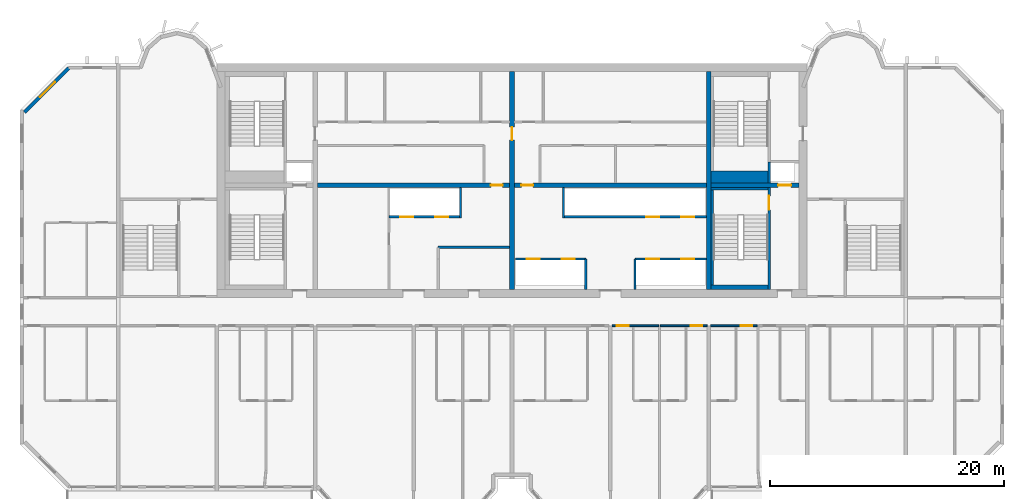
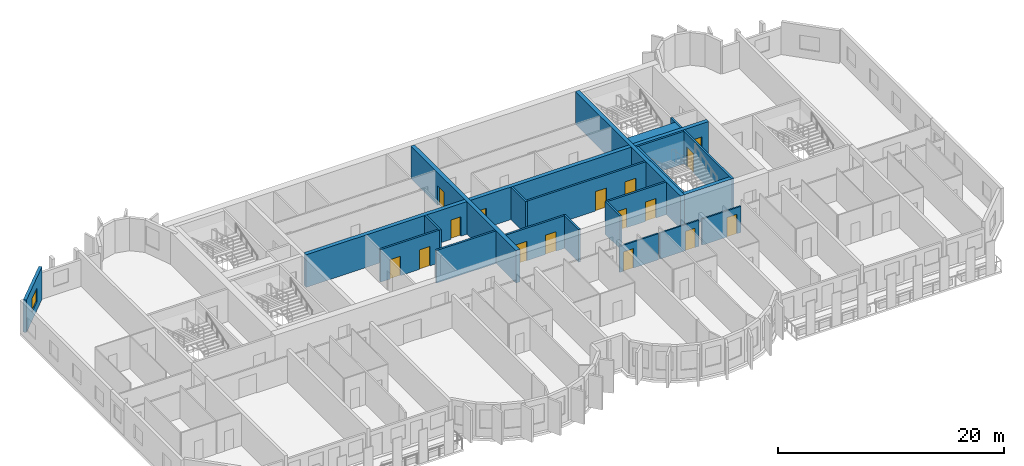
# One storey, part 6 of 13: 24 walls, 16 doors, 1 window, 17 openings.
"""IFC4 building model written with IfcOpenShell, lengths in metres."""

from ifc_helpers import new_model, si_unit, direction, frame, frame_2d, origin, place, context, subcontext, project, spatial, rectangle, extrude, source, transform, mapped, material, layer, layer_set, type_object, element, fill, save


model = new_model("IFC4")

# Units and contexts
model_context = context("Model", 3, precision=1e-05, world=origin(), true_north=direction((0.0, 1.0)))
body_context = subcontext(model_context, "Body", "Model", "MODEL_VIEW")
ifc_project = project(units=[si_unit("LENGTHUNIT", "METRE"), si_unit("AREAUNIT", "SQUARE_METRE"), si_unit("VOLUMEUNIT", "CUBIC_METRE"), si_unit("PLANEANGLEUNIT", "RADIAN"), si_unit("MASSUNIT", "GRAM", prefix="KILO")], contexts=[model_context])

# Site, building, storey
site_placement = place(None, origin())
site = spatial("IfcSite", under=ifc_project, at=site_placement, CompositionType="ELEMENT")
building_placement = place(site_placement, origin())
building = spatial("IfcBuilding", under=site, at=building_placement, Name="Vanashikhar Sky Hotel", CompositionType="ELEMENT")
storey_placement = place(building_placement, frame((0.0, 0.0, 151.60009765625)))
storey = spatial("IfcBuildingStorey", under=building, at=storey_placement, Name="L36", CompositionType="ELEMENT", Elevation=151.60009765625)

# Wall, opening, door
ifc_material_1 = material(Name="Concrete M60", Category="concrete")
ifc_layer_1 = layer(ifc_material_1, 0.39990234375)
ifc_layer_set_1 = layer_set([ifc_layer_1], Name="RC core inner wall 400 Concrete M60")
wall_type_1 = type_object("IfcWallType", Name="RC core inner wall 400 Concrete M60", PredefinedType="SHEAR", material=ifc_layer_set_1)
shared_shape_1 = source(origin(), body_context, "Body", "SweptSolid", [
    extrude(rectangle(XDim=18.60009765625, YDim=0.39990234375, at=frame_2d((9.300048828125, 0.0))), origin(), (0.0, 0.0, 1.0), 3.52001953125),
])
wall_1_placement = place(storey_placement, frame((50.39990234375, 22.699951171875, 0.0), z_axis=(0.0, 0.0, 1.0), x_axis=(0.0, 1.0, 0.0)))
wall_1 = element("IfcWall", 1, at=wall_1_placement, inside=storey, type_object=wall_type_1, Name="KW-L36-KX2", PredefinedType="SHEAR", context=body_context, shape_type="MappedRepresentation", body=[
    mapped(shared_shape_1, transform((0.0, 0.0, 0.0), scale=1.0)),
])
shared_shape_2 = source(origin(), body_context, "Body", "SweptSolid", [
    extrude(rectangle(XDim=1.10009765625, YDim=2.10009765625, at=frame_2d((0.550048828125, 1.050048828125))), frame((0.0, 0.2099609375, 0.0), z_axis=(0.0, -1.0, 0.0), x_axis=(1.0, 0.0, 0.0)), (0.0, 0.0, 1.0), 0.419921875),
])
opening_1_placement = place(wall_1_placement, frame((12.75, 0.0, 0.0)))
opening_1 = element("IfcOpeningElement", 2, at=opening_1_placement, cuts=wall_1, Name="Opening DC-4-C", PredefinedType="OPENING", context=body_context, shape_type="MappedRepresentation", body=[
    mapped(shared_shape_2, transform((0.0, 0.0, 0.0), scale=1.0)),
])
ifc_material_2 = material(Name="Steel", Category="steel")
door_type_1 = type_object("IfcDoorType", Name="Service door 1100 FD60", OperationType="NOTDEFINED", PredefinedType="DOOR", material=ifc_material_2)
shared_shape_3 = source(origin(), body_context, "Body", "SweptSolid", [
    extrude(rectangle(XDim=1.10009765625, YDim=2.10009765625, at=frame_2d((0.550048828125, 1.050048828125))), frame((0.0, 0.02490234375, 0.0), z_axis=(0.0, -1.0, 0.0), x_axis=(1.0, 0.0, 0.0)), (0.0, 0.0, 1.0), 0.050048828125),
])
door_1_placement = place(opening_1_placement, origin())
door_1 = element("IfcDoor", 3, at=door_1_placement, inside=storey, type_object=door_type_1, Name="Service door 1100 FD60", OperationType="SINGLE_SWING_RIGHT", OverallHeight=2.10009765625, OverallWidth=1.10009765625, PredefinedType="DOOR", context=body_context, shape_type="MappedRepresentation", body=[
    mapped(shared_shape_3, transform((0.0, 0.0, 0.0), scale=1.0)),
])
fill(opening_1, door_1)

# Wall
wall_2_placement = place(storey_placement, frame((67.199951171875, 22.699951171875, 0.0), z_axis=(0.0, 0.0, 1.0), x_axis=(0.0, 1.0, 0.0)))
element("IfcWall", 4, at=wall_2_placement, inside=storey, type_object=wall_type_1, Name="KW-L36-KX3", PredefinedType="SHEAR", context=body_context, shape_type="MappedRepresentation", body=[
    mapped(shared_shape_1, transform((0.0, 0.0, 0.0), scale=1.0)),
])

# Wall, opening, door
shared_shape_4 = source(origin(), body_context, "Body", "SweptSolid", [
    extrude(rectangle(XDim=7.5, YDim=0.39990234375, at=frame_2d((3.75, 0.0))), origin(), (0.0, 0.0, 1.0), 3.52001953125),
])
wall_3_placement = place(storey_placement, frame((67.39990234375, 31.60009765625, 0.0), z_axis=(0.0, 0.0, 1.0), x_axis=(1.0, 0.0, 0.0)))
wall_3 = element("IfcWall", 5, at=wall_3_placement, inside=storey, type_object=wall_type_1, Name="KW-L36-KY4", PredefinedType="SHEAR", context=body_context, shape_type="MappedRepresentation", body=[
    mapped(shared_shape_4, transform((0.0, 0.0, 0.0), scale=1.0)),
])
opening_2_placement = place(wall_3_placement, frame((5.72509765625, 0.0, 0.0)))
opening_2 = element("IfcOpeningElement", 6, at=opening_2_placement, cuts=wall_3, Name="Opening LD", PredefinedType="OPENING", context=body_context, shape_type="MappedRepresentation", body=[
    mapped(shared_shape_2, transform((0.0, 0.0, 0.0), scale=1.0)),
])
ifc_material_3 = material(Name="Stainless steel", Category="steel")
door_type_2 = type_object("IfcDoorType", Name="Lift landing door 1100", OperationType="NOTDEFINED", PredefinedType="DOOR", material=ifc_material_3)
door_2_placement = place(opening_2_placement, origin())
door_2 = element("IfcDoor", 7, at=door_2_placement, inside=storey, type_object=door_type_2, Name="Lift landing door 1100", OperationType="SLIDING_TO_RIGHT", OverallHeight=2.10009765625, OverallWidth=1.10009765625, PredefinedType="DOOR", context=body_context, shape_type="MappedRepresentation", body=[
    mapped(shared_shape_3, transform((0.0, 0.0, 0.0), scale=1.0)),
])
fill(opening_2, door_2)

shared_shape_5 = source(origin(), body_context, "Body", "SweptSolid", [
    extrude(rectangle(XDim=16.39990234375, YDim=0.39990234375, at=frame_2d((8.199951171875, 0.0))), origin(), (0.0, 0.0, 1.0), 3.52001953125),
])
wall_4_placement = place(storey_placement, frame((33.800048828125, 31.60009765625, 0.0), z_axis=(0.0, 0.0, 1.0), x_axis=(1.0, 0.0, 0.0)))
wall_4 = element("IfcWall", 8, at=wall_4_placement, inside=storey, type_object=wall_type_1, Name="KW-L36-KY2", PredefinedType="SHEAR", context=body_context, shape_type="MappedRepresentation", body=[
    mapped(shared_shape_5, transform((0.0, 0.0, 0.0), scale=1.0)),
])
shared_shape_6 = source(origin(), body_context, "Body", "SweptSolid", [
    extrude(rectangle(XDim=1.0, YDim=2.10009765625, at=frame_2d((0.5, 1.050048828125))), frame((0.0, 0.2099609375, 0.0), z_axis=(0.0, -1.0, 0.0), x_axis=(1.0, 0.0, 0.0)), (0.0, 0.0, 1.0), 0.419921875),
])
opening_3_placement = place(wall_4_placement, frame((14.800048828125, 0.0, 0.0)))
opening_3 = element("IfcOpeningElement", 9, at=opening_3_placement, cuts=wall_4, Name="Opening DC-4", PredefinedType="OPENING", context=body_context, shape_type="MappedRepresentation", body=[
    mapped(shared_shape_6, transform((0.0, 0.0, 0.0), scale=1.0)),
])
door_type_3 = type_object("IfcDoorType", Name="Service door 1000 FD60", OperationType="NOTDEFINED", PredefinedType="DOOR", material=ifc_material_2)
shared_shape_7 = source(origin(), body_context, "Body", "SweptSolid", [
    extrude(rectangle(XDim=1.0, YDim=2.10009765625, at=frame_2d((0.5, 1.050048828125))), frame((0.0, 0.02490234375, 0.0), z_axis=(0.0, -1.0, 0.0), x_axis=(1.0, 0.0, 0.0)), (0.0, 0.0, 1.0), 0.050048828125),
])
door_3_placement = place(opening_3_placement, origin())
door_3 = element("IfcDoor", 10, at=door_3_placement, inside=storey, type_object=door_type_3, Name="Service door 1000 FD60", OperationType="SINGLE_SWING_LEFT", OverallHeight=2.10009765625, OverallWidth=1.0, PredefinedType="DOOR", context=body_context, shape_type="MappedRepresentation", body=[
    mapped(shared_shape_7, transform((0.0, 0.0, 0.0), scale=1.0)),
])
fill(opening_3, door_3)

wall_5_placement = place(storey_placement, frame((50.60009765625, 31.60009765625, 0.0), z_axis=(0.0, 0.0, 1.0), x_axis=(1.0, 0.0, 0.0)))
wall_5 = element("IfcWall", 11, at=wall_5_placement, inside=storey, type_object=wall_type_1, Name="KW-L36-KY3", PredefinedType="SHEAR", context=body_context, shape_type="MappedRepresentation", body=[
    mapped(shared_shape_5, transform((0.0, 0.0, 0.0), scale=1.0)),
])
opening_4_placement = place(wall_5_placement, frame((0.60009765625, 0.0, 0.0)))
opening_4 = element("IfcOpeningElement", 12, at=opening_4_placement, cuts=wall_5, Name="Opening DC-4", PredefinedType="OPENING", context=body_context, shape_type="MappedRepresentation", body=[
    mapped(shared_shape_6, transform((0.0, 0.0, 0.0), scale=1.0)),
])
door_4_placement = place(opening_4_placement, origin())
door_4 = element("IfcDoor", 13, at=door_4_placement, inside=storey, type_object=door_type_3, Name="Service door 1000 FD60", OperationType="SINGLE_SWING_RIGHT", OverallHeight=2.10009765625, OverallWidth=1.0, PredefinedType="DOOR", context=body_context, shape_type="MappedRepresentation", body=[
    mapped(shared_shape_7, transform((0.0, 0.0, 0.0), scale=1.0)),
])
fill(opening_4, door_4)

# Wall, opening, window
ifc_material_4 = material(Name="Concrete M50", Category="concrete")
ifc_layer_2 = layer(ifc_material_4, 0.300048828125)
ifc_layer_set_2 = layer_set([ifc_layer_2], Name="Lobe wall 300")
wall_type_2 = type_object("IfcWallType", Name="Lobe wall 300", PredefinedType="SOLIDWALL", material=ifc_layer_set_2)
shared_shape_8 = source(origin(), body_context, "Body", "SweptSolid", [
    extrude(rectangle(XDim=5.32568359375, YDim=0.300048828125, at=frame_2d((2.662841796875, 0.0))), origin(), (0.0, 0.0, 1.0), 3.52001953125),
])
wall_6_placement = place(storey_placement, frame((12.565673828125, 41.60009765625, 0.0), z_axis=(0.0, 0.0, 1.0), x_axis=(-0.707083859269, -0.707129702361, 0.0)))
wall_6 = element("IfcWall", 14, at=wall_6_placement, inside=storey, type_object=wall_type_2, Name="Corner wall", PredefinedType="SOLIDWALL", context=body_context, shape_type="MappedRepresentation", body=[
    mapped(shared_shape_8, transform((0.0, 0.0, 0.0), scale=1.0)),
])
shared_shape_9 = source(origin(), body_context, "Body", "SweptSolid", [
    extrude(rectangle(XDim=1.800048828125, YDim=1.5, at=frame_2d((0.89990234375, 0.75))), frame((0.0, 0.16015625, 0.0), z_axis=(0.0, -1.0, 0.0), x_axis=(1.0, 0.0, 0.0)), (0.0, 0.0, 1.0), 0.320068359375),
])
opening_5_placement = place(wall_6_placement, frame((1.689453125, 0.0, 0.89990234375)))
opening_5 = element("IfcOpeningElement", 15, at=opening_5_placement, cuts=wall_6, Name="Opening WN-4", PredefinedType="OPENING", context=body_context, shape_type="MappedRepresentation", body=[
    mapped(shared_shape_9, transform((0.0, 0.0, 0.0), scale=1.0)),
])
ifc_material_5 = material(Name="Glass", Category="glass")
window_type = type_object("IfcWindowType", Name="Corner window 1800 x 1500", PartitioningType="SINGLE_PANEL", PredefinedType="WINDOW", material=ifc_material_5)
shared_shape_10 = source(origin(), body_context, "Body", "SweptSolid", [
    extrude(rectangle(XDim=1.800048828125, YDim=1.5, at=frame_2d((0.89990234375, 0.75))), frame((0.0, 0.030029296875, 0.0), z_axis=(0.0, -1.0, 0.0), x_axis=(1.0, 0.0, 0.0)), (0.0, 0.0, 1.0), 0.06005859375),
])
window_placement = place(opening_5_placement, origin())
window = element("IfcWindow", 16, at=window_placement, inside=storey, type_object=window_type, Name="Window WN-4", OverallHeight=1.5, OverallWidth=1.800048828125, PartitioningType="SINGLE_PANEL", PredefinedType="WINDOW", context=body_context, shape_type="MappedRepresentation", body=[
    mapped(shared_shape_10, transform((0.0, 0.0, 0.0), scale=1.0)),
])
fill(opening_5, window)

# Wall, openings, doors
ifc_material_6 = material(Name="Concrete M40", Category="concrete")
ifc_layer_3 = layer(ifc_material_6, 0.199951171875)
ifc_layer_set_3 = layer_set([ifc_layer_3], Name="Shaft wall 200")
wall_type_3 = type_object("IfcWallType", Name="Shaft wall 200", PredefinedType="SOLIDWALL", material=ifc_layer_set_3)
shared_shape_11 = source(origin(), body_context, "Body", "SweptSolid", [
    extrude(rectangle(XDim=6.0, YDim=0.199951171875, at=frame_2d((3.0, 0.0))), origin(), (0.0, 0.0, 1.0), 3.52001953125),
])
wall_7_placement = place(storey_placement, frame((39.89990234375, 28.89990234375, 0.0), z_axis=(0.0, 0.0, 1.0), x_axis=(1.0, 0.0, 0.0)))
wall_7 = element("IfcWall", 17, at=wall_7_placement, inside=storey, type_object=wall_type_3, Name="Shaft wall 200", PredefinedType="SOLIDWALL", context=body_context, shape_type="MappedRepresentation", body=[
    mapped(shared_shape_11, transform((0.0, 0.0, 0.0), scale=1.0)),
])
shared_shape_12 = source(origin(), body_context, "Body", "SweptSolid", [
    extrude(rectangle(XDim=1.10009765625, YDim=2.10009765625, at=frame_2d((0.550048828125, 1.050048828125))), frame((0.0, 0.10986328125, 0.0), z_axis=(0.0, -1.0, 0.0), x_axis=(1.0, 0.0, 0.0)), (0.0, 0.0, 1.0), 0.219970703125),
])
opening_6_placement = place(wall_7_placement, frame((0.949951171875, 0.0, 0.0)))
opening_6 = element("IfcOpeningElement", 18, at=opening_6_placement, cuts=wall_7, Name="Opening LD", PredefinedType="OPENING", context=body_context, shape_type="MappedRepresentation", body=[
    mapped(shared_shape_12, transform((0.0, 0.0, 0.0), scale=1.0)),
])
opening_7_placement = place(wall_7_placement, frame((3.949951171875, 0.0, 0.0)))
opening_7 = element("IfcOpeningElement", 19, at=opening_7_placement, cuts=wall_7, Name="Opening LD", PredefinedType="OPENING", context=body_context, shape_type="MappedRepresentation", body=[
    mapped(shared_shape_12, transform((0.0, 0.0, 0.0), scale=1.0)),
])
door_5_placement = place(opening_6_placement, origin())
door_5 = element("IfcDoor", 20, at=door_5_placement, inside=storey, type_object=door_type_2, Name="Lift landing door 1100", OperationType="SLIDING_TO_LEFT", OverallHeight=2.10009765625, OverallWidth=1.10009765625, PredefinedType="DOOR", context=body_context, shape_type="MappedRepresentation", body=[
    mapped(shared_shape_3, transform((0.0, 0.0, 0.0), scale=1.0)),
])
fill(opening_6, door_5)
door_6_placement = place(opening_7_placement, origin())
door_6 = element("IfcDoor", 21, at=door_6_placement, inside=storey, type_object=door_type_2, Name="Lift landing door 1100", OperationType="SLIDING_TO_RIGHT", OverallHeight=2.10009765625, OverallWidth=1.10009765625, PredefinedType="DOOR", context=body_context, shape_type="MappedRepresentation", body=[
    mapped(shared_shape_3, transform((0.0, 0.0, 0.0), scale=1.0)),
])
fill(opening_7, door_6)

wall_8_placement = place(storey_placement, frame((56.699951171875, 25.300048828125, 0.0), z_axis=(0.0, 0.0, 1.0), x_axis=(-1.0, 0.0, 0.0)))
wall_8 = element("IfcWall", 22, at=wall_8_placement, inside=storey, type_object=wall_type_3, Name="Shaft wall 200", PredefinedType="SOLIDWALL", context=body_context, shape_type="MappedRepresentation", body=[
    mapped(shared_shape_11, transform((0.0, 0.0, 0.0), scale=1.0)),
])
opening_8_placement = place(wall_8_placement, frame((0.949951171875, 0.0, 0.0)))
opening_8 = element("IfcOpeningElement", 23, at=opening_8_placement, cuts=wall_8, Name="Opening LD", PredefinedType="OPENING", context=body_context, shape_type="MappedRepresentation", body=[
    mapped(shared_shape_12, transform((0.0, 0.0, 0.0), scale=1.0)),
])
opening_9_placement = place(wall_8_placement, frame((3.949951171875, 0.0, 0.0)))
opening_9 = element("IfcOpeningElement", 24, at=opening_9_placement, cuts=wall_8, Name="Opening LD", PredefinedType="OPENING", context=body_context, shape_type="MappedRepresentation", body=[
    mapped(shared_shape_12, transform((0.0, 0.0, 0.0), scale=1.0)),
])
door_7_placement = place(opening_8_placement, origin())
door_7 = element("IfcDoor", 25, at=door_7_placement, inside=storey, type_object=door_type_2, Name="Lift landing door 1100", OperationType="SLIDING_TO_RIGHT", OverallHeight=2.10009765625, OverallWidth=1.10009765625, PredefinedType="DOOR", context=body_context, shape_type="MappedRepresentation", body=[
    mapped(shared_shape_3, transform((0.0, 0.0, 0.0), scale=1.0)),
])
fill(opening_8, door_7)
door_8_placement = place(opening_9_placement, origin())
door_8 = element("IfcDoor", 26, at=door_8_placement, inside=storey, type_object=door_type_2, Name="Lift landing door 1100", OperationType="SLIDING_TO_LEFT", OverallHeight=2.10009765625, OverallWidth=1.10009765625, PredefinedType="DOOR", context=body_context, shape_type="MappedRepresentation", body=[
    mapped(shared_shape_3, transform((0.0, 0.0, 0.0), scale=1.0)),
])
fill(opening_9, door_8)

# Walls
ifc_layer_4 = layer(ifc_material_4, 0.199951171875)
ifc_layer_set_4 = layer_set([ifc_layer_4], Name="Stair infill wall 200")
wall_type_4 = type_object("IfcWallType", Name="Stair infill wall 200", PredefinedType="SOLIDWALL", material=ifc_layer_set_4)
shared_shape_13 = source(origin(), body_context, "Body", "SweptSolid", [
    extrude(rectangle(XDim=8.099853515625, YDim=0.199951171875, at=frame_2d((4.0498046875, 0.0))), origin(), (0.0, 0.0, 1.0), 3.52001953125),
])
wall_9_placement = place(storey_placement, frame((67.5, 23.10009765625, 0.0), z_axis=(0.0, 0.0, 1.0), x_axis=(0.0, 1.0, 0.0)))
element("IfcWall", 27, at=wall_9_placement, inside=storey, type_object=wall_type_4, Name="Stair infill wall 200", PredefinedType="SOLIDWALL", context=body_context, shape_type="MappedRepresentation", body=[
    mapped(shared_shape_13, transform((0.0, 0.0, 0.0), scale=1.0)),
])
shared_shape_14 = source(origin(), body_context, "Body", "SweptSolid", [
    extrude(rectangle(XDim=2.60009765625, YDim=0.199951171875, at=frame_2d((1.300048828125, 0.0))), origin(), (0.0, 0.0, 1.0), 3.52001953125),
])
for number, where, z_axis, x_axis, name in (
    (28, (60.89990234375, 22.699951171875, 0.0), (0.0, 0.0, 1.0), (0.0, 1.0, 0.0), "Shaft wall 200"),
    (29, (56.699951171875, 22.699951171875, 0.0), (0.0, 0.0, 1.0), (0.0, 1.0, 0.0), "Shaft wall 200"),
):
    element("IfcWall", number, at=place(storey_placement, frame(where, z_axis=z_axis, x_axis=x_axis)), inside=storey, type_object=wall_type_3, Name=name, PredefinedType="SOLIDWALL", context=body_context, shape_type="MappedRepresentation", body=[
        mapped(shared_shape_14, transform((0.0, 0.0, 0.0), scale=1.0)),
    ])
shared_shape_15 = source(origin(), body_context, "Body", "SweptSolid", [
    extrude(rectangle(XDim=2.599853515625, YDim=0.199951171875, at=frame_2d((1.2998046875, 0.0))), origin(), (0.0, 0.0, 1.0), 3.52001953125),
])
for number, where, z_axis, x_axis, name in (
    (30, (46.0, 28.800048828125, 0.0), (0.0, 0.0, 1.0), (0.0, 1.0, 0.0), "Shaft wall 200"),
    (31, (54.800048828125, 28.800048828125, 0.0), (0.0, 0.0, 1.0), (0.0, 1.0, 0.0), "Shaft wall 200"),
):
    element("IfcWall", number, at=place(storey_placement, frame(where, z_axis=z_axis, x_axis=x_axis)), inside=storey, type_object=wall_type_3, Name=name, PredefinedType="SOLIDWALL", context=body_context, shape_type="MappedRepresentation", body=[
        mapped(shared_shape_15, transform((0.0, 0.0, 0.0), scale=1.0)),
    ])
ifc_material_7 = material(Name="Gypsum board partition")
ifc_layer_5 = layer(ifc_material_7, 0.14990234375)
ifc_layer_set_5 = layer_set([ifc_layer_5], Name="Service partition 150")
wall_type_5 = type_object("IfcWallType", Name="Service partition 150", PredefinedType="PARTITIONING", material=ifc_layer_set_5)
shared_shape_16 = source(origin(), body_context, "Body", "SweptSolid", [
    extrude(rectangle(XDim=6.099853515625, YDim=0.199951171875, at=frame_2d((3.0498046875, 0.0))), origin(), (0.0, 0.0, 1.0), 3.52001953125),
])
wall_10_placement = place(storey_placement, frame((44.10009765625, 26.300048828125, 0.0), z_axis=(0.0, 0.0, 1.0), x_axis=(1.0, 0.0, 0.0)))
element("IfcWall", 32, at=wall_10_placement, inside=storey, type_object=wall_type_5, Name="Service partition 150", PredefinedType="PARTITIONING", context=body_context, shape_type="MappedRepresentation", body=[
    mapped(shared_shape_16, transform((0.0, 0.0, 0.0), scale=1.0)),
])

# Wall, openings, doors
shared_shape_17 = source(origin(), body_context, "Body", "SweptSolid", [
    extrude(rectangle(XDim=6.10009765625, YDim=0.199951171875, at=frame_2d((3.050048828125, 0.0))), origin(), (0.0, 0.0, 1.0), 3.52001953125),
])
wall_11_placement = place(storey_placement, frame((67.0, 25.300048828125, 0.0), z_axis=(0.0, 0.0, 1.0), x_axis=(-1.0, 0.0, 0.0)))
wall_11 = element("IfcWall", 33, at=wall_11_placement, inside=storey, type_object=wall_type_3, Name="Shaft wall 200", PredefinedType="SOLIDWALL", context=body_context, shape_type="MappedRepresentation", body=[
    mapped(shared_shape_17, transform((0.0, 0.0, 0.0), scale=1.0)),
])
opening_10_placement = place(wall_11_placement, frame((1.050048828125, 0.0, 0.0)))
opening_10 = element("IfcOpeningElement", 34, at=opening_10_placement, cuts=wall_11, Name="Opening LD", PredefinedType="OPENING", context=body_context, shape_type="MappedRepresentation", body=[
    mapped(shared_shape_12, transform((0.0, 0.0, 0.0), scale=1.0)),
])
opening_11_placement = place(wall_11_placement, frame((4.050048828125, 0.0, 0.0)))
opening_11 = element("IfcOpeningElement", 35, at=opening_11_placement, cuts=wall_11, Name="Opening LD", PredefinedType="OPENING", context=body_context, shape_type="MappedRepresentation", body=[
    mapped(shared_shape_12, transform((0.0, 0.0, 0.0), scale=1.0)),
])
door_9_placement = place(opening_10_placement, origin())
door_9 = element("IfcDoor", 36, at=door_9_placement, inside=storey, type_object=door_type_2, Name="Lift landing door 1100", OperationType="SLIDING_TO_RIGHT", OverallHeight=2.10009765625, OverallWidth=1.10009765625, PredefinedType="DOOR", context=body_context, shape_type="MappedRepresentation", body=[
    mapped(shared_shape_3, transform((0.0, 0.0, 0.0), scale=1.0)),
])
fill(opening_10, door_9)
door_10_placement = place(opening_11_placement, origin())
door_10 = element("IfcDoor", 37, at=door_10_placement, inside=storey, type_object=door_type_2, Name="Lift landing door 1100", OperationType="SLIDING_TO_LEFT", OverallHeight=2.10009765625, OverallWidth=1.10009765625, PredefinedType="DOOR", context=body_context, shape_type="MappedRepresentation", body=[
    mapped(shared_shape_3, transform((0.0, 0.0, 0.0), scale=1.0)),
])
fill(opening_11, door_10)

shared_shape_18 = source(origin(), body_context, "Body", "SweptSolid", [
    extrude(rectangle(XDim=12.10009765625, YDim=0.199951171875, at=frame_2d((6.050048828125, 0.0))), origin(), (0.0, 0.0, 1.0), 3.52001953125),
])
wall_12_placement = place(storey_placement, frame((67.0, 28.89990234375, 0.0), z_axis=(0.0, 0.0, 1.0), x_axis=(-1.0, 0.0, 0.0)))
wall_12 = element("IfcWall", 38, at=wall_12_placement, inside=storey, type_object=wall_type_3, Name="Shaft wall 200", PredefinedType="SOLIDWALL", context=body_context, shape_type="MappedRepresentation", body=[
    mapped(shared_shape_18, transform((0.0, 0.0, 0.0), scale=1.0)),
])
opening_12_placement = place(wall_12_placement, frame((1.050048828125, 0.0, 0.0)))
opening_12 = element("IfcOpeningElement", 39, at=opening_12_placement, cuts=wall_12, Name="Opening LD", PredefinedType="OPENING", context=body_context, shape_type="MappedRepresentation", body=[
    mapped(shared_shape_12, transform((0.0, 0.0, 0.0), scale=1.0)),
])
opening_13_placement = place(wall_12_placement, frame((4.050048828125, 0.0, 0.0)))
opening_13 = element("IfcOpeningElement", 40, at=opening_13_placement, cuts=wall_12, Name="Opening LD", PredefinedType="OPENING", context=body_context, shape_type="MappedRepresentation", body=[
    mapped(shared_shape_12, transform((0.0, 0.0, 0.0), scale=1.0)),
])
door_11_placement = place(opening_12_placement, origin())
door_11 = element("IfcDoor", 41, at=door_11_placement, inside=storey, type_object=door_type_2, Name="Lift landing door 1100", OperationType="SLIDING_TO_RIGHT", OverallHeight=2.10009765625, OverallWidth=1.10009765625, PredefinedType="DOOR", context=body_context, shape_type="MappedRepresentation", body=[
    mapped(shared_shape_3, transform((0.0, 0.0, 0.0), scale=1.0)),
])
fill(opening_12, door_11)
door_12_placement = place(opening_13_placement, origin())
door_12 = element("IfcDoor", 42, at=door_12_placement, inside=storey, type_object=door_type_2, Name="Lift landing door 1100", OperationType="SLIDING_TO_LEFT", OverallHeight=2.10009765625, OverallWidth=1.10009765625, PredefinedType="DOOR", context=body_context, shape_type="MappedRepresentation", body=[
    mapped(shared_shape_3, transform((0.0, 0.0, 0.0), scale=1.0)),
])
fill(opening_13, door_12)

# Wall, opening, door
ifc_layer_6 = layer(ifc_material_4, 0.199951171875)
ifc_layer_set_6 = layer_set([ifc_layer_6], Name="Stair wall 200")
wall_type_6 = type_object("IfcWallType", Name="Stair wall 200", PredefinedType="SOLIDWALL", material=ifc_layer_set_6)
shared_shape_19 = source(origin(), body_context, "Body", "SweptSolid", [
    extrude(rectangle(XDim=8.699951171875, YDim=0.199951171875, at=frame_2d((4.35009765625, 0.0))), origin(), (0.0, 0.0, 1.0), 3.52001953125),
])
wall_13_placement = place(storey_placement, frame((72.35009765625, 22.699951171875, 0.0), z_axis=(0.0, 0.0, 1.0), x_axis=(0.0, 1.0, 0.0)))
wall_13 = element("IfcWall", 43, at=wall_13_placement, inside=storey, type_object=wall_type_6, Name="Stair wall 200", PredefinedType="SOLIDWALL", context=body_context, shape_type="MappedRepresentation", body=[
    mapped(shared_shape_19, transform((0.0, 0.0, 0.0), scale=1.0)),
])
shared_shape_20 = source(origin(), body_context, "Body", "SweptSolid", [
    extrude(rectangle(XDim=1.199951171875, YDim=2.10009765625, at=frame_2d((0.60009765625, 1.050048828125))), frame((0.0, 0.10986328125, 0.0), z_axis=(0.0, -1.0, 0.0), x_axis=(1.0, 0.0, 0.0)), (0.0, 0.0, 1.0), 0.219970703125),
])
opening_14_placement = place(wall_13_placement, frame((6.800048828125, 0.0, 0.0)))
opening_14 = element("IfcOpeningElement", 44, at=opening_14_placement, cuts=wall_13, Name="Opening DC-1", PredefinedType="OPENING", context=body_context, shape_type="MappedRepresentation", body=[
    mapped(shared_shape_20, transform((0.0, 0.0, 0.0), scale=1.0)),
])
door_type_4 = type_object("IfcDoorType", Name="Stair door 1200 FD120", OperationType="NOTDEFINED", PredefinedType="DOOR", material=ifc_material_2)
shared_shape_21 = source(origin(), body_context, "Body", "SweptSolid", [
    extrude(rectangle(XDim=1.199951171875, YDim=2.10009765625, at=frame_2d((0.60009765625, 1.050048828125))), frame((0.0, 0.02490234375, 0.0), z_axis=(0.0, -1.0, 0.0), x_axis=(1.0, 0.0, 0.0)), (0.0, 0.0, 1.0), 0.050048828125),
])
door_13_placement = place(opening_14_placement, origin())
door_13 = element("IfcDoor", 45, at=door_13_placement, inside=storey, type_object=door_type_4, Name="Stair door 1200 FD120", OperationType="SINGLE_SWING_LEFT", OverallHeight=2.10009765625, OverallWidth=1.199951171875, PredefinedType="DOOR", context=body_context, shape_type="MappedRepresentation", body=[
    mapped(shared_shape_21, transform((0.0, 0.0, 0.0), scale=1.0)),
])
fill(opening_14, door_13)

# Walls
shared_shape_22 = source(origin(), body_context, "Body", "SweptSolid", [
    extrude(rectangle(XDim=1.800048828125, YDim=0.199951171875, at=frame_2d((0.89990234375, 0.0))), origin(), (0.0, 0.0, 1.0), 3.52001953125),
])
wall_14_placement = place(storey_placement, frame((72.35009765625, 31.800048828125, 0.0), z_axis=(0.0, 0.0, 1.0), x_axis=(0.0, 1.0, 0.0)))
element("IfcWall", 46, at=wall_14_placement, inside=storey, type_object=wall_type_3, Name="Shaft wall 200", PredefinedType="SOLIDWALL", context=body_context, shape_type="MappedRepresentation", body=[
    mapped(shared_shape_22, transform((0.0, 0.0, 0.0), scale=1.0)),
])
ifc_layer_7 = layer(ifc_material_4, 0.39990234375)
ifc_layer_set_7 = layer_set([ifc_layer_7], Name="Stair infill wall 400")
wall_type_7 = type_object("IfcWallType", Name="Stair infill wall 400", PredefinedType="SOLIDWALL", material=ifc_layer_set_7)
shared_shape_23 = source(origin(), body_context, "Body", "SweptSolid", [
    extrude(rectangle(XDim=4.85009765625, YDim=0.39990234375, at=frame_2d((2.425048828125, 0.0))), origin(), (0.0, 0.0, 1.0), 3.52001953125),
])
wall_15_placement = place(storey_placement, frame((67.39990234375, 22.89990234375, 0.0), z_axis=(0.0, 0.0, 1.0), x_axis=(1.0, 0.0, 0.0)))
element("IfcWall", 47, at=wall_15_placement, inside=storey, type_object=wall_type_7, Name="Stair infill wall 400", PredefinedType="SOLIDWALL", context=body_context, shape_type="MappedRepresentation", body=[
    mapped(shared_shape_23, transform((0.0, 0.0, 0.0), scale=1.0)),
])
shared_shape_24 = source(origin(), body_context, "Body", "SweptSolid", [
    extrude(rectangle(XDim=4.85009765625, YDim=0.199951171875, at=frame_2d((2.425048828125, 0.0))), origin(), (0.0, 0.0, 1.0), 3.52001953125),
])
wall_16_placement = place(storey_placement, frame((67.39990234375, 31.300048828125, 0.0), z_axis=(0.0, 0.0, 1.0), x_axis=(1.0, 0.0, 0.0)))
element("IfcWall", 48, at=wall_16_placement, inside=storey, type_object=wall_type_4, Name="Stair infill wall 200", PredefinedType="SOLIDWALL", context=body_context, shape_type="MappedRepresentation", body=[
    mapped(shared_shape_24, transform((0.0, 0.0, 0.0), scale=1.0)),
])
ifc_layer_8 = layer(ifc_material_4, 1.0)
ifc_layer_set_8 = layer_set([ifc_layer_8], Name="Stair infill wall 1000")
wall_type_8 = type_object("IfcWallType", Name="Stair infill wall 1000", PredefinedType="SOLIDWALL", material=ifc_layer_set_8)
shared_shape_25 = source(origin(), body_context, "Body", "SweptSolid", [
    extrude(rectangle(XDim=4.85009765625, YDim=1.0, at=frame_2d((2.425048828125, 0.0))), origin(), (0.0, 0.0, 1.0), 3.52001953125),
])
wall_17_placement = place(storey_placement, frame((67.39990234375, 32.300048828125, 0.0), z_axis=(0.0, 0.0, 1.0), x_axis=(1.0, 0.0, 0.0)))
element("IfcWall", 49, at=wall_17_placement, inside=storey, type_object=wall_type_8, Name="Stair infill wall 1000", PredefinedType="SOLIDWALL", context=body_context, shape_type="MappedRepresentation", body=[
    mapped(shared_shape_25, transform((0.0, 0.0, 0.0), scale=1.0)),
])

# Wall, opening, door
ifc_material_8 = material(Name="Gypsum plasterboard partition")
ifc_layer_9 = layer(ifc_material_8, 0.14990234375)
ifc_layer_set_9 = layer_set([ifc_layer_9], Name="Corridor and demising partition 150")
wall_type_9 = type_object("IfcWallType", Name="Corridor and demising partition 150", PredefinedType="PARTITIONING", material=ifc_layer_set_9)
shared_shape_26 = source(origin(), body_context, "Body", "SweptSolid", [
    extrude(rectangle(XDim=3.974853515625, YDim=0.14990234375, at=frame_2d((1.9873046875, 0.0))), origin(), (0.0, 0.0, 1.0), 2.81982421875),
])
wall_18_placement = place(storey_placement, frame((67.35009765625, 19.60009765625, 0.0), z_axis=(0.0, 0.0, 1.0), x_axis=(1.0, 0.0, 0.0)))
wall_18 = element("IfcWall", 50, at=wall_18_placement, inside=storey, type_object=wall_type_9, Name="W-L36-PW036", PredefinedType="PARTITIONING", context=body_context, shape_type="MappedRepresentation", body=[
    mapped(shared_shape_26, transform((0.0, 0.0, 0.0), scale=1.0)),
])
shared_shape_27 = source(origin(), body_context, "Body", "SweptSolid", [
    extrude(rectangle(XDim=1.0, YDim=2.10009765625, at=frame_2d((0.5, 1.050048828125))), frame((0.0, 0.0849609375, 0.0), z_axis=(0.0, -1.0, 0.0), x_axis=(1.0, 0.0, 0.0)), (0.0, 0.0, 1.0), 0.169921875),
])
opening_15_placement = place(wall_18_placement, frame((2.574951171875, 0.0, 0.0)))
opening_15 = element("IfcOpeningElement", 51, at=opening_15_placement, cuts=wall_18, Name="Opening D-01", PredefinedType="OPENING", context=body_context, shape_type="MappedRepresentation", body=[
    mapped(shared_shape_27, transform((0.0, 0.0, 0.0), scale=1.0)),
])
ifc_material_9 = material(Name="Timber fire door", Category="wood")
door_type_5 = type_object("IfcDoorType", Name="Guest entry door 1000 FD30S", OperationType="NOTDEFINED", PredefinedType="DOOR", material=ifc_material_9)
door_14_placement = place(opening_15_placement, origin())
door_14 = element("IfcDoor", 52, at=door_14_placement, inside=storey, type_object=door_type_5, Name="D-L36-022", OperationType="SINGLE_SWING_RIGHT", OverallHeight=2.10009765625, OverallWidth=1.0, PredefinedType="DOOR", context=body_context, shape_type="MappedRepresentation", body=[
    mapped(shared_shape_7, transform((0.0, 0.0, 0.0), scale=1.0)),
])
fill(opening_15, door_14)

shared_shape_28 = source(origin(), body_context, "Body", "SweptSolid", [
    extrude(rectangle(XDim=3.97509765625, YDim=0.14990234375, at=frame_2d((1.987548828125, 0.0))), origin(), (0.0, 0.0, 1.0), 2.81982421875),
])
wall_19_placement = place(storey_placement, frame((58.949951171875, 19.60009765625, 0.0), z_axis=(0.0, 0.0, 1.0), x_axis=(1.0, 0.0, 0.0)))
wall_19 = element("IfcWall", 53, at=wall_19_placement, inside=storey, type_object=wall_type_9, Name="W-L36-PW029", PredefinedType="PARTITIONING", context=body_context, shape_type="MappedRepresentation", body=[
    mapped(shared_shape_28, transform((0.0, 0.0, 0.0), scale=1.0)),
])
opening_16_placement = place(wall_19_placement, frame((0.39990234375, 0.0, 0.0)))
opening_16 = element("IfcOpeningElement", 54, at=opening_16_placement, cuts=wall_19, Name="Opening D-01", PredefinedType="OPENING", context=body_context, shape_type="MappedRepresentation", body=[
    mapped(shared_shape_27, transform((0.0, 0.0, 0.0), scale=1.0)),
])
door_15_placement = place(opening_16_placement, origin())
door_15 = element("IfcDoor", 55, at=door_15_placement, inside=storey, type_object=door_type_5, Name="D-L36-018", OperationType="SINGLE_SWING_LEFT", OverallHeight=2.10009765625, OverallWidth=1.0, PredefinedType="DOOR", context=body_context, shape_type="MappedRepresentation", body=[
    mapped(shared_shape_7, transform((0.0, 0.0, 0.0), scale=1.0)),
])
fill(opening_16, door_15)

wall_20_placement = place(storey_placement, frame((63.074951171875, 19.60009765625, 0.0), z_axis=(0.0, 0.0, 1.0), x_axis=(1.0, 0.0, 0.0)))
wall_20 = element("IfcWall", 56, at=wall_20_placement, inside=storey, type_object=wall_type_9, Name="W-L36-PW032", PredefinedType="PARTITIONING", context=body_context, shape_type="MappedRepresentation", body=[
    mapped(shared_shape_28, transform((0.0, 0.0, 0.0), scale=1.0)),
])
opening_17_placement = place(wall_20_placement, frame((2.574951171875, 0.0, 0.0)))
opening_17 = element("IfcOpeningElement", 57, at=opening_17_placement, cuts=wall_20, Name="Opening D-01", PredefinedType="OPENING", context=body_context, shape_type="MappedRepresentation", body=[
    mapped(shared_shape_27, transform((0.0, 0.0, 0.0), scale=1.0)),
])
door_16_placement = place(opening_17_placement, origin())
door_16 = element("IfcDoor", 58, at=door_16_placement, inside=storey, type_object=door_type_5, Name="D-L36-020", OperationType="SINGLE_SWING_RIGHT", OverallHeight=2.10009765625, OverallWidth=1.0, PredefinedType="DOOR", context=body_context, shape_type="MappedRepresentation", body=[
    mapped(shared_shape_7, transform((0.0, 0.0, 0.0), scale=1.0)),
])
fill(opening_17, door_16)

save(model, "model.ifc")
